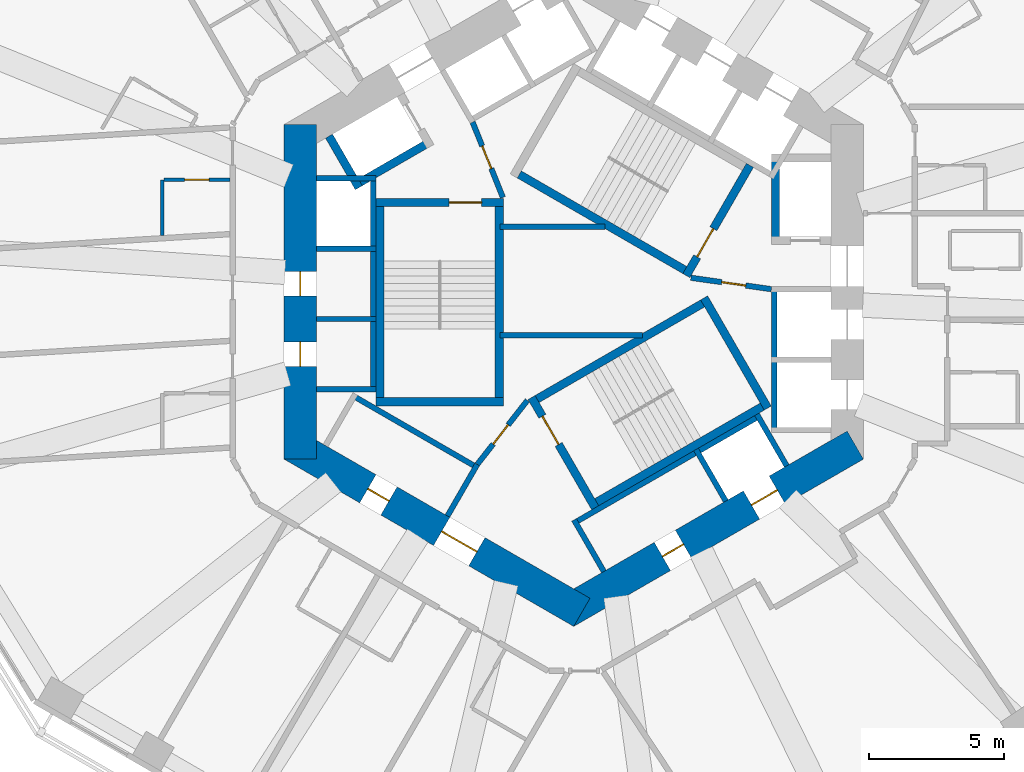
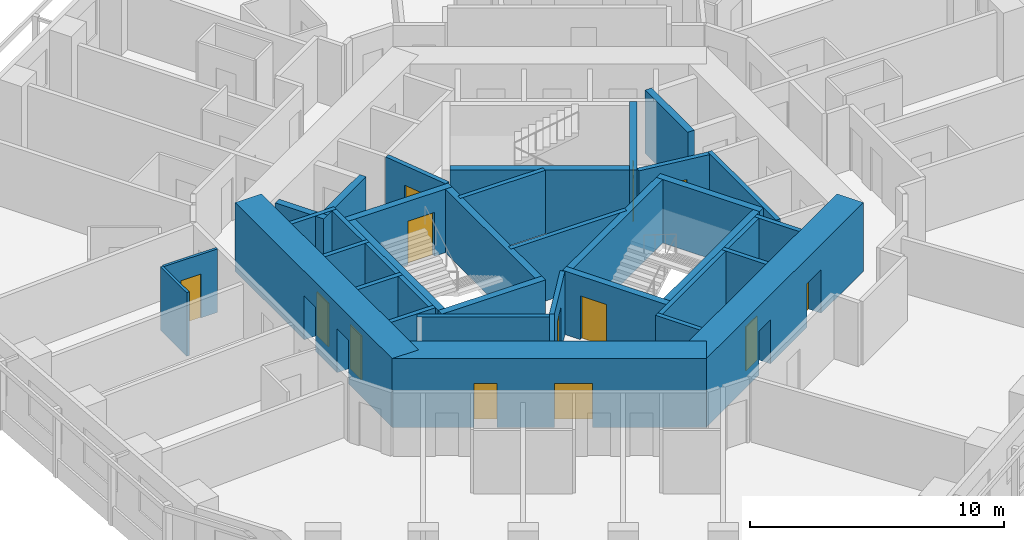
# One storey, part 5 of 12: 35 walls, 13 doors, 13 openings.
"""IFC4 building model written with IfcOpenShell, lengths in metres."""

from ifc_helpers import new_model, si_unit, direction, frame, frame_2d, origin, place, context, subcontext, project, spatial, rectangle, extrude, material, layer, layer_set, type_object, element, fill, save


model = new_model("IFC4")

# Units and contexts
model_context = context("Model", 3, precision=1e-05, world=origin(), true_north=direction((0.0, 1.0)))
body_context = subcontext(model_context, "Body", "Model", "MODEL_VIEW")
ifc_project = project(units=[si_unit("LENGTHUNIT", "METRE"), si_unit("AREAUNIT", "SQUARE_METRE"), si_unit("VOLUMEUNIT", "CUBIC_METRE"), si_unit("PLANEANGLEUNIT", "RADIAN"), si_unit("MASSUNIT", "GRAM", prefix="KILO")], contexts=[model_context])

# Site, building, storey
site_placement = place(None, origin())
site = spatial("IfcSite", under=ifc_project, at=site_placement, CompositionType="ELEMENT")
building_placement = place(site_placement, origin())
building = spatial("IfcBuilding", under=site, at=building_placement, Name="Vanh Sen Convention Tower", CompositionType="ELEMENT")
storey_placement = place(building_placement, frame((0.0, 0.0, 86.89990234375)))
storey = spatial("IfcBuildingStorey", under=building, at=storey_placement, Name="L19", CompositionType="ELEMENT", Elevation=86.89990234375)

# Wall
ifc_material_1 = material(Name="Moisture-resistant gypsum board on steel studs", Category="steel")
ifc_layer_1 = layer(ifc_material_1, 0.1201171875)
ifc_layer_set_1 = layer_set([ifc_layer_1], Name="Moisture-resistant gypsum board on steel studs")
wall_type_1 = type_object("IfcWallType", Name="Bathroom partition 120", PredefinedType="PARTITIONING", material=ifc_layer_set_1)
wall_1_placement = place(storey_placement, frame((-15.199951171875, 2.080322265625, 0.0), z_axis=(0.0, 0.0, 1.0), x_axis=(0.0, 1.0, 0.0)))
element("IfcWall", 1, at=wall_1_placement, inside=storey, type_object=wall_type_1, Name="Bathroom partition 120", PredefinedType="PARTITIONING", context=body_context, shape_type="SweptSolid", body=[
    extrude(rectangle(XDim=2.05908203125, YDim=0.1201171875, at=frame_2d((1.029541015625, 0.0))), origin(), (0.0, 0.0, 1.0), 3.050048828125),
])

# Wall, opening, door
wall_2_placement = place(storey_placement, frame((-15.139892578125, 4.139404296875, 0.0), z_axis=(0.0, 0.0, 1.0), x_axis=(1.0, 0.0, 0.0)))
wall_2 = element("IfcWall", 2, at=wall_2_placement, inside=storey, type_object=wall_type_1, Name="Bathroom partition 120", PredefinedType="PARTITIONING", context=body_context, shape_type="SweptSolid", body=[
    extrude(rectangle(XDim=2.43994140625, YDim=0.1201171875, at=frame_2d((1.219970703125, 0.0))), origin(), (0.0, 0.0, 1.0), 3.050048828125),
])
opening_1_placement = place(wall_2_placement, frame((0.77001953125, 0.0, 0.0)))
opening_1 = element("IfcOpeningElement", 3, at=opening_1_placement, cuts=wall_2, Name="Opening D19126", PredefinedType="OPENING", context=body_context, shape_type="SweptSolid", body=[
    extrude(rectangle(XDim=0.89990234375, YDim=2.10009765625, at=frame_2d((0.449951171875, 1.050048828125))), frame((0.0, 0.070068359375, 0.0), z_axis=(0.0, -1.0, 0.0), x_axis=(1.0, 0.0, 0.0)), (0.0, 0.0, 1.0), 0.14013671875),
])
ifc_material_2 = material(Name="Laminate door in steel frame", Category="steel")
door_type_1 = type_object("IfcDoorType", Name="En-suite door 900", OperationType="SINGLE_SWING_LEFT", PredefinedType="DOOR", material=ifc_material_2)
door_1_placement = place(opening_1_placement, origin())
door_1 = element("IfcDoor", 4, at=door_1_placement, inside=storey, type_object=door_type_1, Name="En-suite door D19126", OperationType="SINGLE_SWING_LEFT", OverallHeight=2.10009765625, OverallWidth=0.89990234375, PredefinedType="DOOR", context=body_context, shape_type="SweptSolid", body=[
    extrude(rectangle(XDim=0.89990234375, YDim=2.10009765625, at=frame_2d((0.449951171875, 1.050048828125))), frame((0.0, 0.02490234375, 0.0), z_axis=(0.0, -1.0, 0.0), x_axis=(1.0, 0.0, 0.0)), (0.0, 0.0, 1.0), 0.050048828125),
])
fill(opening_1, door_1)

# Wall, openings, doors
ifc_material_3 = material(Name="Concrete C80/95", Category="concrete")
ifc_layer_2 = layer(ifc_material_3, 1.199951171875)
ifc_layer_set_2 = layer_set([ifc_layer_2], Name="Concrete C80/95")
wall_type_2 = type_object("IfcWallType", Name="Core outer wall 1200 C80/95", PredefinedType="SHEAR", material=ifc_layer_set_2)
wall_3_placement = place(storey_placement, frame((-10.10009765625, 6.177490234375, 0.0), z_axis=(0.0, 0.0, 1.0), x_axis=(0.0, -1.0, 0.0)))
wall_3 = element("IfcWall", 5, at=wall_3_placement, inside=storey, type_object=wall_type_2, Name="Core wall face W L19", PredefinedType="SHEAR", context=body_context, shape_type="SweptSolid", body=[
    extrude(rectangle(XDim=12.35498046875, YDim=1.199951171875, at=frame_2d((6.177490234375, 0.0))), origin(), (0.0, 0.0, 1.0), 3.300048828125),
])
opening_2_placement = place(wall_3_placement, frame((5.427490234375, 0.0, 0.0)))
opening_2 = element("IfcOpeningElement", 6, at=opening_2_placement, cuts=wall_3, Name="Opening D19010", PredefinedType="OPENING", context=body_context, shape_type="SweptSolid", body=[
    extrude(rectangle(XDim=0.89990234375, YDim=2.10009765625, at=frame_2d((0.449951171875, 1.050048828125))), frame((0.0, 0.60986328125, 0.0), z_axis=(0.0, -1.0, 0.0), x_axis=(1.0, 0.0, 0.0)), (0.0, 0.0, 1.0), 1.219970703125),
])
opening_3_placement = place(wall_3_placement, frame((8.027587890625, 0.0, 0.0)))
opening_3 = element("IfcOpeningElement", 7, at=opening_3_placement, cuts=wall_3, Name="Opening D19011", PredefinedType="OPENING", context=body_context, shape_type="SweptSolid", body=[
    extrude(rectangle(XDim=0.89990234375, YDim=2.10009765625, at=frame_2d((0.449951171875, 1.050048828125))), frame((0.0, 0.60986328125, 0.0), z_axis=(0.0, -1.0, 0.0), x_axis=(1.0, 0.0, 0.0)), (0.0, 0.0, 1.0), 1.219970703125),
])
ifc_material_4 = material(Name="Steel S355", Category="steel")
door_type_2 = type_object("IfcDoorType", Name="Plant door 900", OperationType="SINGLE_SWING_LEFT", PredefinedType="DOOR", material=ifc_material_4)
door_2_placement = place(opening_2_placement, origin())
door_2 = element("IfcDoor", 8, at=door_2_placement, inside=storey, type_object=door_type_2, Name="Plant door D19010", OperationType="SINGLE_SWING_LEFT", OverallHeight=2.10009765625, OverallWidth=0.89990234375, PredefinedType="DOOR", context=body_context, shape_type="SweptSolid", body=[
    extrude(rectangle(XDim=0.89990234375, YDim=2.10009765625, at=frame_2d((0.449951171875, 1.050048828125))), frame((0.0, 0.02490234375, 0.0), z_axis=(0.0, -1.0, 0.0), x_axis=(1.0, 0.0, 0.0)), (0.0, 0.0, 1.0), 0.050048828125),
])
fill(opening_2, door_2)
door_3_placement = place(opening_3_placement, origin())
door_3 = element("IfcDoor", 9, at=door_3_placement, inside=storey, type_object=door_type_2, Name="Plant door D19011", OperationType="SINGLE_SWING_LEFT", OverallHeight=2.10009765625, OverallWidth=0.89990234375, PredefinedType="DOOR", context=body_context, shape_type="SweptSolid", body=[
    extrude(rectangle(XDim=0.89990234375, YDim=2.10009765625, at=frame_2d((0.449951171875, 1.050048828125))), frame((0.0, 0.02490234375, 0.0), z_axis=(0.0, -1.0, 0.0), x_axis=(1.0, 0.0, 0.0)), (0.0, 0.0, 1.0), 0.050048828125),
])
fill(opening_3, door_3)

wall_4_placement = place(storey_placement, frame((-10.39990234375, -5.657958984375, 0.0), z_axis=(0.0, 0.0, 1.0), x_axis=(0.866021384402, -0.500006961711, 0.0)))
wall_4 = element("IfcWall", 10, at=wall_4_placement, inside=storey, type_object=wall_type_2, Name="Core wall face SW L19", PredefinedType="SHEAR", context=body_context, shape_type="SweptSolid", body=[
    extrude(rectangle(XDim=12.355224609375, YDim=1.199951171875, at=frame_2d((6.177734375, 0.0))), origin(), (0.0, 0.0, 1.0), 3.300048828125),
])
opening_4_placement = place(wall_4_placement, frame((6.377685546875, 0.0, 0.0)))
opening_4 = element("IfcOpeningElement", 11, at=opening_4_placement, cuts=wall_4, Name="Opening D19003", PredefinedType="OPENING", context=body_context, shape_type="SweptSolid", body=[
    extrude(rectangle(XDim=1.5, YDim=2.10009765625, at=frame_2d((0.75, 1.050048828125))), frame((0.0, 0.60986328125, 0.0), z_axis=(0.0, -1.0, 0.0), x_axis=(1.0, 0.0, 0.0)), (0.0, 0.0, 1.0), 1.219970703125),
])
opening_5_placement = place(wall_4_placement, frame((3.227783203125, 0.0, 0.0)))
opening_5 = element("IfcOpeningElement", 12, at=opening_5_placement, cuts=wall_4, Name="Opening D19012", PredefinedType="OPENING", context=body_context, shape_type="SweptSolid", body=[
    extrude(rectangle(XDim=0.89990234375, YDim=2.10009765625, at=frame_2d((0.449951171875, 1.050048828125))), frame((0.0, 0.60986328125, 0.0), z_axis=(0.0, -1.0, 0.0), x_axis=(1.0, 0.0, 0.0)), (0.0, 0.0, 1.0), 1.219970703125),
])
door_4_placement = place(opening_5_placement, origin())
door_4 = element("IfcDoor", 13, at=door_4_placement, inside=storey, type_object=door_type_2, Name="Plant door D19012", OperationType="SINGLE_SWING_LEFT", OverallHeight=2.10009765625, OverallWidth=0.89990234375, PredefinedType="DOOR", context=body_context, shape_type="SweptSolid", body=[
    extrude(rectangle(XDim=0.89990234375, YDim=2.10009765625, at=frame_2d((0.449951171875, 1.050048828125))), frame((0.0, 0.02490234375, 0.0), z_axis=(0.0, -1.0, 0.0), x_axis=(1.0, 0.0, 0.0)), (0.0, 0.0, 1.0), 0.050048828125),
])
fill(opening_5, door_4)
door_type_3 = type_object("IfcDoorType", Name="Stair lobby door 1500", OperationType="DOUBLE_DOOR_SINGLE_SWING", PredefinedType="DOOR", material=ifc_material_4)
door_5_placement = place(opening_4_placement, origin())
door_5 = element("IfcDoor", 14, at=door_5_placement, inside=storey, type_object=door_type_3, Name="Stair lobby door D19003", OperationType="DOUBLE_DOOR_SINGLE_SWING", OverallHeight=2.10009765625, OverallWidth=1.5, PredefinedType="DOOR", context=body_context, shape_type="SweptSolid", body=[
    extrude(rectangle(XDim=1.5, YDim=2.10009765625, at=frame_2d((0.75, 1.050048828125))), frame((0.0, 0.02490234375, 0.0), z_axis=(0.0, -1.0, 0.0), x_axis=(1.0, 0.0, 0.0)), (0.0, 0.0, 1.0), 0.050048828125),
])
fill(opening_4, door_5)

wall_5_placement = place(storey_placement, frame((-0.300048828125, -11.835693359375, 0.0), z_axis=(0.0, 0.0, 1.0), x_axis=(0.866021384402, 0.500006961711, 0.0)))
wall_5 = element("IfcWall", 15, at=wall_5_placement, inside=storey, type_object=wall_type_2, Name="Core wall face SE L19", PredefinedType="SHEAR", context=body_context, shape_type="SweptSolid", body=[
    extrude(rectangle(XDim=12.355224609375, YDim=1.199951171875, at=frame_2d((6.177734375, 0.0))), origin(), (0.0, 0.0, 1.0), 3.300048828125),
])
opening_6_placement = place(wall_5_placement, frame((4.127685546875, 0.0, 0.0)))
opening_6 = element("IfcOpeningElement", 16, at=opening_6_placement, cuts=wall_5, Name="Opening D19013", PredefinedType="OPENING", context=body_context, shape_type="SweptSolid", body=[
    extrude(rectangle(XDim=0.89990234375, YDim=2.10009765625, at=frame_2d((0.449951171875, 1.050048828125))), frame((0.0, 0.60986328125, 0.0), z_axis=(0.0, -1.0, 0.0), x_axis=(1.0, 0.0, 0.0)), (0.0, 0.0, 1.0), 1.219970703125),
])
opening_7_placement = place(wall_5_placement, frame((7.927734375, 0.0, 0.0)))
opening_7 = element("IfcOpeningElement", 17, at=opening_7_placement, cuts=wall_5, Name="Opening LD-SV1", PredefinedType="OPENING", context=body_context, shape_type="SweptSolid", body=[
    extrude(rectangle(XDim=1.10009765625, YDim=2.10009765625, at=frame_2d((0.550048828125, 1.050048828125))), frame((0.0, 0.60986328125, 0.0), z_axis=(0.0, -1.0, 0.0), x_axis=(1.0, 0.0, 0.0)), (0.0, 0.0, 1.0), 1.219970703125),
])
ifc_material_5 = material(Name="Stainless steel", Category="steel")
door_type_4 = type_object("IfcDoorType", Name="Lift landing door 1100", OperationType="DOUBLE_DOOR_SLIDING", PredefinedType="DOOR", material=ifc_material_5)
door_6_placement = place(opening_7_placement, origin())
door_6 = element("IfcDoor", 18, at=door_6_placement, inside=storey, type_object=door_type_4, Name="Lift SV1 landing door LD-SV1", OperationType="DOUBLE_DOOR_SLIDING", OverallHeight=2.10009765625, OverallWidth=1.10009765625, PredefinedType="DOOR", context=body_context, shape_type="SweptSolid", body=[
    extrude(rectangle(XDim=1.10009765625, YDim=2.10009765625, at=frame_2d((0.550048828125, 1.050048828125))), frame((0.0, 0.02490234375, 0.0), z_axis=(0.0, -1.0, 0.0), x_axis=(1.0, 0.0, 0.0)), (0.0, 0.0, 1.0), 0.050048828125),
])
fill(opening_7, door_6)
door_7_placement = place(opening_6_placement, origin())
door_7 = element("IfcDoor", 19, at=door_7_placement, inside=storey, type_object=door_type_2, Name="Plant door D19013", OperationType="SINGLE_SWING_LEFT", OverallHeight=2.10009765625, OverallWidth=0.89990234375, PredefinedType="DOOR", context=body_context, shape_type="SweptSolid", body=[
    extrude(rectangle(XDim=0.89990234375, YDim=2.10009765625, at=frame_2d((0.449951171875, 1.050048828125))), frame((0.0, 0.02490234375, 0.0), z_axis=(0.0, -1.0, 0.0), x_axis=(1.0, 0.0, 0.0)), (0.0, 0.0, 1.0), 0.050048828125),
])
fill(opening_6, door_7)

# Walls
ifc_material_6 = material(Name="Masonry blockwork", Category="masonry")
ifc_layer_3 = layer(ifc_material_6, 0.199951171875)
ifc_layer_set_3 = layer_set([ifc_layer_3], Name="Masonry blockwork")
wall_type_3 = type_object("IfcWallType", Name="Core partition 200", PredefinedType="PARTITIONING", material=ifc_layer_set_3)
wall_6_placement = place(storey_placement, frame((-2.719970703125, -1.60009765625, 0.0), z_axis=(0.0, 0.0, 1.0), x_axis=(1.0, 0.0, 0.0)))
element("IfcWall", 20, at=wall_6_placement, inside=storey, type_object=wall_type_3, Name="Core partition L19", PredefinedType="PARTITIONING", context=body_context, shape_type="SweptSolid", body=[
    extrude(rectangle(XDim=5.2685546875, YDim=0.199951171875, at=frame_2d((2.63427734375, 0.0))), origin(), (0.0, 0.0, 1.0), 3.050048828125),
])
wall_7_placement = place(storey_placement, frame((-2.719970703125, 2.39990234375, 0.0), z_axis=(0.0, 0.0, 1.0), x_axis=(1.0, 0.0, 0.0)))
element("IfcWall", 21, at=wall_7_placement, inside=storey, type_object=wall_type_3, Name="Core partition L19", PredefinedType="PARTITIONING", context=body_context, shape_type="SweptSolid", body=[
    extrude(rectangle(XDim=3.883056640625, YDim=0.199951171875, at=frame_2d((1.94140625, 0.0))), origin(), (0.0, 0.0, 1.0), 3.050048828125),
])
ifc_material_7 = material(Name="Concrete C60/75", Category="concrete")
ifc_layer_4 = layer(ifc_material_7, 0.300048828125)
ifc_layer_set_4 = layer_set([ifc_layer_4], Name="Concrete C60/75")
wall_type_4 = type_object("IfcWallType", Name="Fire-fighting lift shaft wall 300", PredefinedType="SHEAR", material=ifc_layer_set_4)
wall_8_placement = place(storey_placement, frame((7.449951171875, 1.75, 0.0), z_axis=(0.0, 0.0, 1.0), x_axis=(0.0, 1.0, 0.0)))
element("IfcWall", 22, at=wall_8_placement, inside=storey, type_object=wall_type_4, Name="Fire-fighting lift shaft wall L19", PredefinedType="SHEAR", context=body_context, shape_type="SweptSolid", body=[
    extrude(rectangle(XDim=3.35009765625, YDim=0.300048828125, at=frame_2d((1.675048828125, 0.0))), origin(), (0.0, 0.0, 1.0), 3.050048828125),
])
wall_9_placement = place(storey_placement, frame((-5.240478515625, 5.576904296875, 0.0), z_axis=(0.0, 0.0, 1.0), x_axis=(-0.866014461049, -0.500018952895, 0.0)))
element("IfcWall", 23, at=wall_9_placement, inside=storey, type_object=wall_type_4, Name="Fire-fighting lift shaft wall L19", PredefinedType="SHEAR", context=body_context, shape_type="SweptSolid", body=[
    extrude(rectangle(XDim=3.349853515625, YDim=0.300048828125, at=frame_2d((1.6748046875, 0.0))), origin(), (0.0, 0.0, 1.0), 3.050048828125),
])
wall_10_placement = place(storey_placement, frame((-7.936767578125, 3.846923828125, 0.0), z_axis=(0.0, 0.0, 1.0), x_axis=(-0.50002983664, 0.866008176907, 0.0)))
element("IfcWall", 24, at=wall_10_placement, inside=storey, type_object=wall_type_4, Name="Fire-fighting lift shaft wall L19", PredefinedType="SHEAR", context=body_context, shape_type="SweptSolid", body=[
    extrude(rectangle(XDim=2.199951171875, YDim=0.300048828125, at=frame_2d((1.10009765625, 0.0))), origin(), (0.0, 0.0, 1.0), 3.050048828125),
])
ifc_material_8 = material(Name="Concrete C40/50", Category="concrete")
ifc_layer_5 = layer(ifc_material_8, 0.199951171875)
ifc_layer_set_5 = layer_set([ifc_layer_5], Name="Concrete C40/50")
wall_type_5 = type_object("IfcWallType", Name="Lift shaft wall 200", PredefinedType="PARTITIONING", material=ifc_layer_set_5)
wall_11_placement = place(storey_placement, frame((7.39990234375, -5.199951171875, 0.0), z_axis=(0.0, 0.0, 1.0), x_axis=(0.0, 1.0, 0.0)))
element("IfcWall", 25, at=wall_11_placement, inside=storey, type_object=wall_type_5, Name="Lift shaft wall L19", PredefinedType="PARTITIONING", context=body_context, shape_type="SweptSolid", body=[
    extrude(rectangle(XDim=5.39990234375, YDim=0.199951171875, at=frame_2d((2.699951171875, 0.0))), origin(), (0.0, 0.0, 1.0), 3.050048828125),
])
wall_12_placement = place(storey_placement, frame((-7.39990234375, 4.300048828125, 0.0), z_axis=(0.0, 0.0, 1.0), x_axis=(0.0, -1.0, 0.0)))
element("IfcWall", 26, at=wall_12_placement, inside=storey, type_object=wall_type_5, Name="Lift shaft wall L19", PredefinedType="PARTITIONING", context=body_context, shape_type="SweptSolid", body=[
    extrude(rectangle(XDim=8.0, YDim=0.199951171875, at=frame_2d((4.0, 0.0))), origin(), (0.0, 0.0, 1.0), 3.050048828125),
])
for number, where, z_axis, x_axis, name in (
    (27, (-7.300048828125, 4.199951171875, 0.0), (0.0, 0.0, 1.0), (-1.0, 0.0, 0.0), "Lift shaft wall L19"),
    (28, (-7.300048828125, 1.60009765625, 0.0), (0.0, 0.0, 1.0), (-1.0, 0.0, 0.0), "Lift shaft wall L19"),
    (29, (-7.300048828125, -1.0, 0.0), (0.0, 0.0, 1.0), (-1.0, 0.0, 0.0), "Lift shaft wall L19"),
    (30, (-7.300048828125, -3.60009765625, 0.0), (0.0, 0.0, 1.0), (-1.0, 0.0, 0.0), "Lift shaft wall L19"),
):
    element("IfcWall", number, at=place(storey_placement, frame(where, z_axis=z_axis, x_axis=x_axis)), inside=storey, type_object=wall_type_5, Name=name, PredefinedType="PARTITIONING", context=body_context, shape_type="SweptSolid", body=[
        extrude(rectangle(XDim=2.199951171875, YDim=0.199951171875, at=frame_2d((1.10009765625, 0.0))), origin(), (0.0, 0.0, 1.0), 3.050048828125),
    ])
wall_13_placement = place(storey_placement, frame((-8.203369140625, -3.80859375, 0.0), z_axis=(0.0, 0.0, 1.0), x_axis=(0.866028230842, -0.499995103361, 0.0)))
element("IfcWall", 31, at=wall_13_placement, inside=storey, type_object=wall_type_5, Name="Lift shaft wall L19", PredefinedType="PARTITIONING", context=body_context, shape_type="SweptSolid", body=[
    extrude(rectangle(XDim=5.39990234375, YDim=0.199951171875, at=frame_2d((2.699951171875, 0.0))), origin(), (0.0, 0.0, 1.0), 3.050048828125),
])
wall_14_placement = place(storey_placement, frame((-3.5634765625, -6.3720703125, 0.0), z_axis=(0.0, 0.0, 1.0), x_axis=(-0.499994660107, -0.866028486751, 0.0)))
element("IfcWall", 32, at=wall_14_placement, inside=storey, type_object=wall_type_5, Name="Lift shaft wall L19", PredefinedType="PARTITIONING", context=body_context, shape_type="SweptSolid", body=[
    extrude(rectangle(XDim=2.19970703125, YDim=0.199951171875, at=frame_2d((1.099853515625, 0.0))), origin(), (0.0, 0.0, 1.0), 3.050048828125),
])
wall_15_placement = place(storey_placement, frame((-0.02392578125, -8.55859375, 0.0), z_axis=(0.0, 0.0, 1.0), x_axis=(0.866026010844, 0.49999894854, 0.0)))
element("IfcWall", 33, at=wall_15_placement, inside=storey, type_object=wall_type_5, Name="Lift shaft wall L19", PredefinedType="PARTITIONING", context=body_context, shape_type="SweptSolid", body=[
    extrude(rectangle(XDim=8.0, YDim=0.199951171875, at=frame_2d((4.0, 0.0))), origin(), (0.0, 0.0, 1.0), 3.050048828125),
])
for number, where, z_axis, x_axis, name in (
    (34, (0.0126953125, -8.422119140625, 0.0), (0.0, 0.0, 1.0), (0.500077893725, -0.86598042715, 0.0), "Lift shaft wall L19"),
    (35, (4.51611328125, -5.822021484375, 0.0), (0.0, 0.0, 1.0), (0.499946605688, -0.86605622881, 0.0), "Lift shaft wall L19"),
    (36, (6.767578125, -4.52197265625, 0.0), (0.0, 0.0, 1.0), (0.50002983664, -0.866008176907, 0.0), "Lift shaft wall L19"),
):
    element("IfcWall", number, at=place(storey_placement, frame(where, z_axis=z_axis, x_axis=x_axis)), inside=storey, type_object=wall_type_5, Name=name, PredefinedType="PARTITIONING", context=body_context, shape_type="SweptSolid", body=[
        extrude(rectangle(XDim=2.199951171875, YDim=0.199951171875, at=frame_2d((1.10009765625, 0.0))), origin(), (0.0, 0.0, 1.0), 3.050048828125),
    ])

# Wall, opening, door
ifc_layer_6 = layer(ifc_material_8, 0.199951171875)
ifc_layer_set_6 = layer_set([ifc_layer_6], Name="Concrete C40/50")
wall_type_6 = type_object("IfcWallType", Name="Stair lobby wall 200", PredefinedType="PARTITIONING", material=ifc_layer_set_6)
wall_16_placement = place(storey_placement, frame((4.327392578125, 0.52099609375, 0.0), z_axis=(0.0, 0.0, 1.0), x_axis=(0.990124376366, -0.14019172346, 0.0)))
wall_16 = element("IfcWall", 37, at=wall_16_placement, inside=storey, type_object=wall_type_6, Name="Stair lobby wall L19", PredefinedType="PARTITIONING", context=body_context, shape_type="SweptSolid", body=[
    extrude(rectangle(XDim=3.002197265625, YDim=0.199951171875, at=frame_2d((1.5009765625, 0.0))), origin(), (0.0, 0.0, 1.0), 3.050048828125),
])
opening_8_placement = place(wall_16_placement, frame((1.14990234375, 0.0, 0.0)))
opening_8 = element("IfcOpeningElement", 38, at=opening_8_placement, cuts=wall_16, Name="Opening D19007", PredefinedType="OPENING", context=body_context, shape_type="SweptSolid", body=[
    extrude(rectangle(XDim=0.89990234375, YDim=2.10009765625, at=frame_2d((0.449951171875, 1.050048828125))), frame((0.0, 0.10986328125, 0.0), z_axis=(0.0, -1.0, 0.0), x_axis=(1.0, 0.0, 0.0)), (0.0, 0.0, 1.0), 0.219970703125),
])
door_8_placement = place(opening_8_placement, origin())
door_8 = element("IfcDoor", 39, at=door_8_placement, inside=storey, type_object=door_type_2, Name="Plant door D19007", OperationType="SINGLE_SWING_LEFT", OverallHeight=2.10009765625, OverallWidth=0.89990234375, PredefinedType="DOOR", context=body_context, shape_type="SweptSolid", body=[
    extrude(rectangle(XDim=0.89990234375, YDim=2.10009765625, at=frame_2d((0.449951171875, 1.050048828125))), frame((0.0, 0.02490234375, 0.0), z_axis=(0.0, -1.0, 0.0), x_axis=(1.0, 0.0, 0.0)), (0.0, 0.0, 1.0), 0.050048828125),
])
fill(opening_8, door_8)

wall_17_placement = place(storey_placement, frame((-2.614990234375, 3.487060546875, 0.0), z_axis=(0.0, 0.0, 1.0), x_axis=(-0.373576831041, 0.92759924068, 0.0)))
wall_17 = element("IfcWall", 40, at=wall_17_placement, inside=storey, type_object=wall_type_6, Name="Stair lobby wall L19", PredefinedType="PARTITIONING", context=body_context, shape_type="SweptSolid", body=[
    extrude(rectangle(XDim=3.002197265625, YDim=0.199951171875, at=frame_2d((1.5009765625, 0.0))), origin(), (0.0, 0.0, 1.0), 3.050048828125),
])
opening_9_placement = place(wall_17_placement, frame((1.14990234375, 0.0, 0.0)))
opening_9 = element("IfcOpeningElement", 41, at=opening_9_placement, cuts=wall_17, Name="Opening D19008", PredefinedType="OPENING", context=body_context, shape_type="SweptSolid", body=[
    extrude(rectangle(XDim=0.89990234375, YDim=2.10009765625, at=frame_2d((0.449951171875, 1.050048828125))), frame((0.0, 0.10986328125, 0.0), z_axis=(0.0, -1.0, 0.0), x_axis=(1.0, 0.0, 0.0)), (0.0, 0.0, 1.0), 0.219970703125),
])
door_9_placement = place(opening_9_placement, origin())
door_9 = element("IfcDoor", 42, at=door_9_placement, inside=storey, type_object=door_type_2, Name="Plant door D19008", OperationType="SINGLE_SWING_LEFT", OverallHeight=2.10009765625, OverallWidth=0.89990234375, PredefinedType="DOOR", context=body_context, shape_type="SweptSolid", body=[
    extrude(rectangle(XDim=0.89990234375, YDim=2.10009765625, at=frame_2d((0.449951171875, 1.050048828125))), frame((0.0, 0.02490234375, 0.0), z_axis=(0.0, -1.0, 0.0), x_axis=(1.0, 0.0, 0.0)), (0.0, 0.0, 1.0), 0.050048828125),
])
fill(opening_9, door_9)

wall_18_placement = place(storey_placement, frame((-1.71240234375, -4.00830078125, 0.0), z_axis=(0.0, 0.0, 1.0), x_axis=(-0.616549420702, -0.787316208287, 0.0)))
wall_18 = element("IfcWall", 43, at=wall_18_placement, inside=storey, type_object=wall_type_6, Name="Stair lobby wall L19", PredefinedType="PARTITIONING", context=body_context, shape_type="SweptSolid", body=[
    extrude(rectangle(XDim=3.002197265625, YDim=0.199951171875, at=frame_2d((1.5009765625, 0.0))), origin(), (0.0, 0.0, 1.0), 3.050048828125),
])
opening_10_placement = place(wall_18_placement, frame((1.14990234375, 0.0, 0.0)))
opening_10 = element("IfcOpeningElement", 44, at=opening_10_placement, cuts=wall_18, Name="Opening D19009", PredefinedType="OPENING", context=body_context, shape_type="SweptSolid", body=[
    extrude(rectangle(XDim=0.89990234375, YDim=2.10009765625, at=frame_2d((0.449951171875, 1.050048828125))), frame((0.0, 0.10986328125, 0.0), z_axis=(0.0, -1.0, 0.0), x_axis=(1.0, 0.0, 0.0)), (0.0, 0.0, 1.0), 0.219970703125),
])
door_10_placement = place(opening_10_placement, origin())
door_10 = element("IfcDoor", 45, at=door_10_placement, inside=storey, type_object=door_type_2, Name="Plant door D19009", OperationType="SINGLE_SWING_LEFT", OverallHeight=2.10009765625, OverallWidth=0.89990234375, PredefinedType="DOOR", context=body_context, shape_type="SweptSolid", body=[
    extrude(rectangle(XDim=0.89990234375, YDim=2.10009765625, at=frame_2d((0.449951171875, 1.050048828125))), frame((0.0, 0.02490234375, 0.0), z_axis=(0.0, -1.0, 0.0), x_axis=(1.0, 0.0, 0.0)), (0.0, 0.0, 1.0), 0.050048828125),
])
fill(opening_10, door_10)

ifc_layer_7 = layer(ifc_material_7, 0.300048828125)
ifc_layer_set_7 = layer_set([ifc_layer_7], Name="Concrete C60/75")
wall_type_7 = type_object("IfcWallType", Name="Stair wall 300", PredefinedType="SHEAR", material=ifc_layer_set_7)
wall_19_placement = place(storey_placement, frame((4.157958984375, 0.601806640625, 0.0), z_axis=(0.0, 0.0, 1.0), x_axis=(0.499977259774, 0.866038532462, 0.0)))
wall_19 = element("IfcWall", 46, at=wall_19_placement, inside=storey, type_object=wall_type_7, Name="Stair wall L19", PredefinedType="SHEAR", context=body_context, shape_type="SweptSolid", body=[
    extrude(rectangle(XDim=4.699951171875, YDim=0.300048828125, at=frame_2d((2.35009765625, 0.0))), origin(), (0.0, 0.0, 1.0), 3.050048828125),
])
opening_11_placement = place(wall_19_placement, frame((0.800048828125, 0.0, 0.0)))
opening_11 = element("IfcOpeningElement", 47, at=opening_11_placement, cuts=wall_19, Name="Opening D19004", PredefinedType="OPENING", context=body_context, shape_type="SweptSolid", body=[
    extrude(rectangle(XDim=1.199951171875, YDim=2.10009765625, at=frame_2d((0.60009765625, 1.050048828125))), frame((0.0, 0.159912109375, 0.0), z_axis=(0.0, -1.0, 0.0), x_axis=(1.0, 0.0, 0.0)), (0.0, 0.0, 1.0), 0.320068359375),
])
door_type_5 = type_object("IfcDoorType", Name="Stair door 1200", OperationType="SINGLE_SWING_RIGHT", PredefinedType="DOOR", material=ifc_material_4)
door_11_placement = place(opening_11_placement, origin())
door_11 = element("IfcDoor", 48, at=door_11_placement, inside=storey, type_object=door_type_5, Name="Stair ST1 door D19004", OperationType="SINGLE_SWING_RIGHT", OverallHeight=2.10009765625, OverallWidth=1.199951171875, PredefinedType="DOOR", context=body_context, shape_type="SweptSolid", body=[
    extrude(rectangle(XDim=1.199951171875, YDim=2.10009765625, at=frame_2d((0.60009765625, 1.050048828125))), frame((0.0, 0.02490234375, 0.0), z_axis=(0.0, -1.0, 0.0), x_axis=(1.0, 0.0, 0.0)), (0.0, 0.0, 1.0), 0.050048828125),
])
fill(opening_11, door_11)

# Wall
wall_20_placement = place(storey_placement, frame((4.10302734375, 0.806640625, 0.0), z_axis=(0.0, 0.0, 1.0), x_axis=(-0.866027801685, 0.499995846692, 0.0)))
element("IfcWall", 49, at=wall_20_placement, inside=storey, type_object=wall_type_7, Name="Stair wall L19", PredefinedType="SHEAR", context=body_context, shape_type="SweptSolid", body=[
    extrude(rectangle(XDim=7.06005859375, YDim=0.300048828125, at=frame_2d((3.530029296875, 0.0))), origin(), (0.0, 0.0, 1.0), 3.050048828125),
])

# Wall, opening, door
wall_21_placement = place(storey_placement, frame((-2.60009765625, 3.300048828125, 0.0), z_axis=(0.0, 0.0, 1.0), x_axis=(-1.0, 0.0, 0.0)))
wall_21 = element("IfcWall", 50, at=wall_21_placement, inside=storey, type_object=wall_type_7, Name="Stair wall L19", PredefinedType="SHEAR", context=body_context, shape_type="SweptSolid", body=[
    extrude(rectangle(XDim=4.699951171875, YDim=0.300048828125, at=frame_2d((2.35009765625, 0.0))), origin(), (0.0, 0.0, 1.0), 3.050048828125),
])
opening_12_placement = place(wall_21_placement, frame((0.800048828125, 0.0, 0.0)))
opening_12 = element("IfcOpeningElement", 51, at=opening_12_placement, cuts=wall_21, Name="Opening D19005", PredefinedType="OPENING", context=body_context, shape_type="SweptSolid", body=[
    extrude(rectangle(XDim=1.199951171875, YDim=2.10009765625, at=frame_2d((0.60009765625, 1.050048828125))), frame((0.0, 0.159912109375, 0.0), z_axis=(0.0, -1.0, 0.0), x_axis=(1.0, 0.0, 0.0)), (0.0, 0.0, 1.0), 0.320068359375),
])
door_12_placement = place(opening_12_placement, origin())
door_12 = element("IfcDoor", 52, at=door_12_placement, inside=storey, type_object=door_type_5, Name="Stair ST2 door D19005", OperationType="SINGLE_SWING_RIGHT", OverallHeight=2.10009765625, OverallWidth=1.199951171875, PredefinedType="DOOR", context=body_context, shape_type="SweptSolid", body=[
    extrude(rectangle(XDim=1.199951171875, YDim=2.10009765625, at=frame_2d((0.60009765625, 1.050048828125))), frame((0.0, 0.02490234375, 0.0), z_axis=(0.0, -1.0, 0.0), x_axis=(1.0, 0.0, 0.0)), (0.0, 0.0, 1.0), 0.050048828125),
])
fill(opening_12, door_12)

# Walls
wall_22_placement = place(storey_placement, frame((-2.60009765625, -4.06005859375, 0.0), z_axis=(0.0, 0.0, 1.0), x_axis=(-1.0, 0.0, 0.0)))
element("IfcWall", 53, at=wall_22_placement, inside=storey, type_object=wall_type_7, Name="Stair wall L19", PredefinedType="SHEAR", context=body_context, shape_type="SweptSolid", body=[
    extrude(rectangle(XDim=4.699951171875, YDim=0.300048828125, at=frame_2d((2.35009765625, 0.0))), origin(), (0.0, 0.0, 1.0), 3.050048828125),
])
for number, where, z_axis, x_axis, name in (
    (54, (-2.75, 3.14990234375, 0.0), (0.0, 0.0, 1.0), (0.0, -1.0, 0.0), "Stair wall L19"),
    (55, (-7.14990234375, 3.14990234375, 0.0), (0.0, 0.0, 1.0), (0.0, -1.0, 0.0), "Stair wall L19"),
):
    element("IfcWall", number, at=place(storey_placement, frame(where, z_axis=z_axis, x_axis=x_axis)), inside=storey, type_object=wall_type_7, Name=name, PredefinedType="SHEAR", context=body_context, shape_type="SweptSolid", body=[
        extrude(rectangle(XDim=7.059814453125, YDim=0.300048828125, at=frame_2d((3.52978515625, 0.0))), origin(), (0.0, 0.0, 1.0), 3.050048828125),
    ])

# Wall, opening, door
wall_23_placement = place(storey_placement, frame((-1.557861328125, -3.901611328125, 0.0), z_axis=(0.0, 0.0, 1.0), x_axis=(0.499977259774, -0.866038532462, 0.0)))
wall_23 = element("IfcWall", 56, at=wall_23_placement, inside=storey, type_object=wall_type_7, Name="Stair wall L19", PredefinedType="SHEAR", context=body_context, shape_type="SweptSolid", body=[
    extrude(rectangle(XDim=4.699951171875, YDim=0.300048828125, at=frame_2d((2.35009765625, 0.0))), origin(), (0.0, 0.0, 1.0), 3.050048828125),
])
opening_13_placement = place(wall_23_placement, frame((0.800048828125, 0.0, 0.0)))
opening_13 = element("IfcOpeningElement", 57, at=opening_13_placement, cuts=wall_23, Name="Opening D19006", PredefinedType="OPENING", context=body_context, shape_type="SweptSolid", body=[
    extrude(rectangle(XDim=1.199951171875, YDim=2.10009765625, at=frame_2d((0.60009765625, 1.050048828125))), frame((0.0, 0.159912109375, 0.0), z_axis=(0.0, -1.0, 0.0), x_axis=(1.0, 0.0, 0.0)), (0.0, 0.0, 1.0), 0.320068359375),
])
door_13_placement = place(opening_13_placement, origin())
door_13 = element("IfcDoor", 58, at=door_13_placement, inside=storey, type_object=door_type_5, Name="Stair ST3 door D19006", OperationType="SINGLE_SWING_RIGHT", OverallHeight=2.10009765625, OverallWidth=1.199951171875, PredefinedType="DOOR", context=body_context, shape_type="SweptSolid", body=[
    extrude(rectangle(XDim=1.199951171875, YDim=2.10009765625, at=frame_2d((0.60009765625, 1.050048828125))), frame((0.0, 0.02490234375, 0.0), z_axis=(0.0, -1.0, 0.0), x_axis=(1.0, 0.0, 0.0)), (0.0, 0.0, 1.0), 0.050048828125),
])
fill(opening_13, door_13)

# Walls
wall_24_placement = place(storey_placement, frame((4.816162109375, -0.2216796875, 0.0), z_axis=(0.0, 0.0, 1.0), x_axis=(0.499977259774, -0.866038532462, 0.0)))
element("IfcWall", 59, at=wall_24_placement, inside=storey, type_object=wall_type_7, Name="Stair wall L19", PredefinedType="SHEAR", context=body_context, shape_type="SweptSolid", body=[
    extrude(rectangle(XDim=4.699951171875, YDim=0.300048828125, at=frame_2d((2.35009765625, 0.0))), origin(), (0.0, 0.0, 1.0), 3.050048828125),
])
for number, where, z_axis, x_axis, name in (
    (60, (-1.35302734375, -3.95654296875, 0.0), (0.0, 0.0, 1.0), (0.866027801685, 0.499995846692, 0.0), "Stair wall L19"),
    (61, (0.846923828125, -7.76708984375, 0.0), (0.0, 0.0, 1.0), (0.866027801685, 0.499995846692, 0.0), "Stair wall L19"),
):
    element("IfcWall", number, at=place(storey_placement, frame(where, z_axis=z_axis, x_axis=x_axis)), inside=storey, type_object=wall_type_7, Name=name, PredefinedType="SHEAR", context=body_context, shape_type="SweptSolid", body=[
        extrude(rectangle(XDim=7.06005859375, YDim=0.300048828125, at=frame_2d((3.530029296875, 0.0))), origin(), (0.0, 0.0, 1.0), 3.050048828125),
    ])

save(model, "model.ifc")
